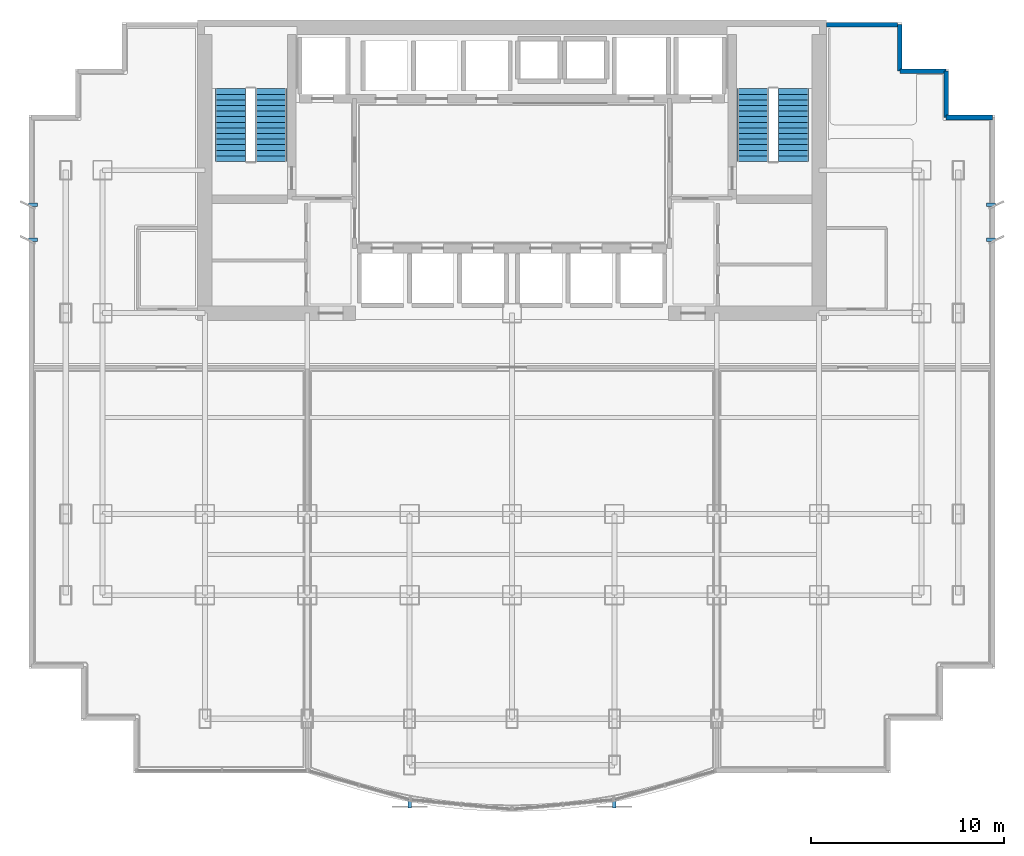
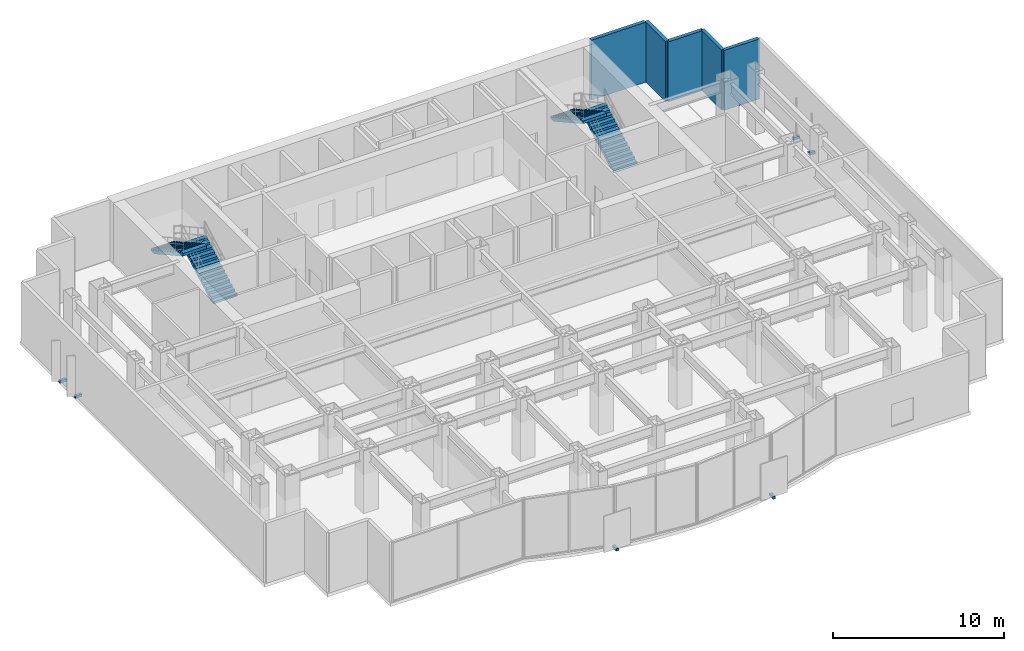
# One storey, part 7 of 9: 6 discrete accessories, 5 walls, 4 stair flights, 2 elements without a shape of their own.
"""IFC4 building model written with IfcOpenShell, lengths in metres."""

from ifc_helpers import new_model, si_unit, direction, frame, frame_2d, origin, origin_2d, place, context, subcontext, project, spatial, polyline, rectangle, outline, extrude, source, transform, mapped, material, layer, layer_set, type_object, element, aggregate, save


model = new_model("IFC4")

# Units and contexts
model_context = context("Model", 3, precision=1e-05, world=origin(), true_north=direction((0.0, 1.0)))
body_context = subcontext(model_context, "Body", "Model", "MODEL_VIEW")
ifc_project = project(units=[si_unit("LENGTHUNIT", "METRE"), si_unit("AREAUNIT", "SQUARE_METRE"), si_unit("VOLUMEUNIT", "CUBIC_METRE"), si_unit("PLANEANGLEUNIT", "RADIAN"), si_unit("MASSUNIT", "GRAM", prefix="KILO")], contexts=[model_context])

# Site, building, storey
site_placement = place(None, origin())
site = spatial("IfcSite", under=ifc_project, at=site_placement, CompositionType="ELEMENT")
building_placement = place(site_placement, origin())
building = spatial("IfcBuilding", under=site, at=building_placement, Name="Qianlan Lanfeng Residences", CompositionType="ELEMENT")
storey_placement = place(building_placement, frame((0.0, 0.0, 77.199951171875)))
storey = spatial("IfcBuildingStorey", under=building, at=storey_placement, Name="L20", CompositionType="ELEMENT", Elevation=77.199951171875)

# Walls
ifc_material_1 = material(Name="Concrete C42", Category="concrete")
ifc_layer = layer(ifc_material_1, 0.239990234375)
ifc_layer_set = layer_set([ifc_layer], Name="Concrete C42")
wall_type = type_object("IfcWallType", Name="EW-240", PredefinedType="SOLIDWALL", material=ifc_layer_set)
for number, where, z_axis, x_axis, name in (
    (1, (51.3798828125, 35.330078125, 0.0), (0.0, 0.0, 1.0), (-1.0, 0.0, 0.0), "L20 Exterior Facade Spandrel Wall 11"),
    (2, (48.97998046875, 35.330078125, 0.0), (0.0, 0.0, 1.0), (0.0, 1.0, 0.0), "L20 Exterior Facade Spandrel Wall 12"),
    (3, (48.97998046875, 37.72998046875, 0.0), (0.0, 0.0, 1.0), (-1.0, 0.0, 0.0), "L20 Exterior Facade Spandrel Wall 13"),
    (4, (46.580078125, 37.72998046875, 0.0), (0.0, 0.0, 1.0), (0.0, 1.0, 0.0), "L20 Exterior Facade Spandrel Wall 14"),
):
    element("IfcWall", number, at=place(storey_placement, frame(where, z_axis=z_axis, x_axis=x_axis)), inside=storey, type_object=wall_type, Name=name, PredefinedType="SOLIDWALL", context=body_context, shape_type="SweptSolid", body=[
        extrude(rectangle(XDim=2.39990234375, YDim=0.239990234375, at=frame_2d((1.199951171875, 0.0))), origin(), (0.0, 0.0, 1.0), 4.2900390625),
    ])
wall_placement = place(storey_placement, frame((46.449951171875, 40.1298828125, 0.0), z_axis=(0.0, 0.0, 1.0), x_axis=(-1.0, 0.0, 0.0)))
element("IfcWall", 5, at=wall_placement, inside=storey, type_object=wall_type, Name="L20 North Wing Exterior Wall E", PredefinedType="SOLIDWALL", context=body_context, shape_type="SweptSolid", body=[
    extrude(rectangle(XDim=3.675048828125, YDim=0.239990234375, at=frame_2d((1.83740234375, 0.0))), origin(), (0.0, 0.0, 1.0), 4.2900390625),
])

# Stair, stair flights
stair_type = type_object("IfcStairType", Name="STR-MAIN", PredefinedType="HALF_TURN_STAIR", material=ifc_material_1)
stair_1_placement = place(storey_placement, origin())
stair_1 = element("IfcStair", 6, at=stair_1_placement, inside=storey, type_object=stair_type, Name="L20 Exit Stair ST-1", PredefinedType="HALF_TURN_STAIR")
stair_flight_type = type_object("IfcStairFlightType", Name="FLT-1720", PredefinedType="STRAIGHT", material=ifc_material_1)
stair_flight_1_placement = place(storey_placement, frame((14.02001953125, 33.050048828125, 0.0), z_axis=(0.0, 0.0, 1.0), x_axis=(0.0, 1.0, 0.0)))
stair_flight_1 = element("IfcStairFlight", 7, at=stair_flight_1_placement, type_object=stair_flight_type, Name="ST-1 flight 1", NumberOfRisers=14, NumberOfTreads=13, PredefinedType="STRAIGHT", RiserHeight=0.160714286, TreadLength=0.29, context=body_context, shape_type="SweptSolid", body=[
    extrude(outline(polyline([(0.0, 0.0), (0.0, 0.16064453125), (0.2900390625, 0.16064453125), (0.2900390625, 0.321533203125), (0.580078125, 0.321533203125), (0.580078125, 0.482177734375), (0.8701171875, 0.482177734375), (0.8701171875, 0.642822265625), (1.159912109375, 0.642822265625), (1.159912109375, 0.803466796875), (1.449951171875, 0.803466796875), (1.449951171875, 0.96435546875), (1.739990234375, 0.96435546875), (1.739990234375, 1.125), (2.030029296875, 1.125), (2.030029296875, 1.28564453125), (2.320068359375, 1.28564453125), (2.320068359375, 1.446533203125), (2.610107421875, 1.446533203125), (2.610107421875, 1.607177734375), (2.89990234375, 1.607177734375), (2.89990234375, 1.767822265625), (3.18994140625, 1.767822265625), (3.18994140625, 1.928466796875), (3.47998046875, 1.928466796875), (3.47998046875, 2.08935546875), (3.77001953125, 2.08935546875), (3.77001953125, 2.25), (3.77001953125, 1.883544921875), (0.37109375, 0.0), (0.0, 0.0)])), frame((0.0, 0.800048828125, 0.0), z_axis=(0.0, -1.0, 0.0), x_axis=(1.0, 0.0, 0.0)), (0.0, 0.0, 1.0), 1.60009765625),
])
stair_flight_2_placement = place(storey_placement, frame((11.93994140625, 36.820068359375, 2.25), z_axis=(0.0, 0.0, 1.0), x_axis=(0.0, -1.0, 0.0)))
stair_flight_2 = element("IfcStairFlight", 8, at=stair_flight_2_placement, type_object=stair_flight_type, Name="ST-1 flight 2", NumberOfRisers=14, NumberOfTreads=13, PredefinedType="STRAIGHT", RiserHeight=0.160714286, TreadLength=0.29, context=body_context, shape_type="SweptSolid", body=[
    extrude(outline(polyline([(0.0, 0.0), (0.0, 0.16064453125), (0.2900390625, 0.16064453125), (0.2900390625, 0.321533203125), (0.580078125, 0.321533203125), (0.580078125, 0.482177734375), (0.8701171875, 0.482177734375), (0.8701171875, 0.642822265625), (1.159912109375, 0.642822265625), (1.159912109375, 0.803466796875), (1.449951171875, 0.803466796875), (1.449951171875, 0.96435546875), (1.739990234375, 0.96435546875), (1.739990234375, 1.125), (2.030029296875, 1.125), (2.030029296875, 1.28564453125), (2.320068359375, 1.28564453125), (2.320068359375, 1.446533203125), (2.610107421875, 1.446533203125), (2.610107421875, 1.607177734375), (2.89990234375, 1.607177734375), (2.89990234375, 1.767822265625), (3.18994140625, 1.767822265625), (3.18994140625, 1.928466796875), (3.47998046875, 1.928466796875), (3.47998046875, 2.08935546875), (3.77001953125, 2.08935546875), (3.77001953125, 2.25), (3.77001953125, 1.883544921875), (0.37109375, 0.0), (0.0, 0.0)])), frame((0.0, 0.800048828125, 0.0), z_axis=(0.0, -1.0, 0.0), x_axis=(1.0, 0.0, 0.0)), (0.0, 0.0, 1.0), 1.60009765625),
])
aggregate(stair_1, [stair_flight_1, stair_flight_2])

stair_2_placement = place(storey_placement, origin())
stair_2 = element("IfcStair", 9, at=stair_2_placement, inside=storey, type_object=stair_type, Name="L20 Exit Stair ST-2", PredefinedType="HALF_TURN_STAIR")
stair_flight_3_placement = place(storey_placement, frame((41.06005859375, 33.050048828125, 0.0), z_axis=(0.0, 0.0, 1.0), x_axis=(0.0, 1.0, 0.0)))
stair_flight_3 = element("IfcStairFlight", 10, at=stair_flight_3_placement, type_object=stair_flight_type, Name="ST-2 flight 1", NumberOfRisers=14, NumberOfTreads=13, PredefinedType="STRAIGHT", RiserHeight=0.160714286, TreadLength=0.29, context=body_context, shape_type="SweptSolid", body=[
    extrude(outline(polyline([(0.0, 0.0), (0.0, 0.16064453125), (0.2900390625, 0.16064453125), (0.2900390625, 0.321533203125), (0.580078125, 0.321533203125), (0.580078125, 0.482177734375), (0.8701171875, 0.482177734375), (0.8701171875, 0.642822265625), (1.159912109375, 0.642822265625), (1.159912109375, 0.803466796875), (1.449951171875, 0.803466796875), (1.449951171875, 0.96435546875), (1.739990234375, 0.96435546875), (1.739990234375, 1.125), (2.030029296875, 1.125), (2.030029296875, 1.28564453125), (2.320068359375, 1.28564453125), (2.320068359375, 1.446533203125), (2.610107421875, 1.446533203125), (2.610107421875, 1.607177734375), (2.89990234375, 1.607177734375), (2.89990234375, 1.767822265625), (3.18994140625, 1.767822265625), (3.18994140625, 1.928466796875), (3.47998046875, 1.928466796875), (3.47998046875, 2.08935546875), (3.77001953125, 2.08935546875), (3.77001953125, 2.25), (3.77001953125, 1.883544921875), (0.37109375, 0.0), (0.0, 0.0)])), frame((0.0, 0.800048828125, 0.0), z_axis=(0.0, -1.0, 0.0), x_axis=(1.0, 0.0, 0.0)), (0.0, 0.0, 1.0), 1.60009765625),
])
stair_flight_4_placement = place(storey_placement, frame((38.97998046875, 36.820068359375, 2.25), z_axis=(0.0, 0.0, 1.0), x_axis=(0.0, -1.0, 0.0)))
stair_flight_4 = element("IfcStairFlight", 11, at=stair_flight_4_placement, type_object=stair_flight_type, Name="ST-2 flight 2", NumberOfRisers=14, NumberOfTreads=13, PredefinedType="STRAIGHT", RiserHeight=0.160714286, TreadLength=0.29, context=body_context, shape_type="SweptSolid", body=[
    extrude(outline(polyline([(0.0, 0.0), (0.0, 0.16064453125), (0.2900390625, 0.16064453125), (0.2900390625, 0.321533203125), (0.580078125, 0.321533203125), (0.580078125, 0.482177734375), (0.8701171875, 0.482177734375), (0.8701171875, 0.642822265625), (1.159912109375, 0.642822265625), (1.159912109375, 0.803466796875), (1.449951171875, 0.803466796875), (1.449951171875, 0.96435546875), (1.739990234375, 0.96435546875), (1.739990234375, 1.125), (2.030029296875, 1.125), (2.030029296875, 1.28564453125), (2.320068359375, 1.28564453125), (2.320068359375, 1.446533203125), (2.610107421875, 1.446533203125), (2.610107421875, 1.607177734375), (2.89990234375, 1.607177734375), (2.89990234375, 1.767822265625), (3.18994140625, 1.767822265625), (3.18994140625, 1.928466796875), (3.47998046875, 1.928466796875), (3.47998046875, 2.08935546875), (3.77001953125, 2.08935546875), (3.77001953125, 2.25), (3.77001953125, 1.883544921875), (0.37109375, 0.0), (0.0, 0.0)])), frame((0.0, 0.800048828125, 0.0), z_axis=(0.0, -1.0, 0.0), x_axis=(1.0, 0.0, 0.0)), (0.0, 0.0, 1.0), 1.60009765625),
])
aggregate(stair_2, [stair_flight_3, stair_flight_4])

# Discrete accessories
ifc_material_2 = material(Name="Stainless Steel Facade Bracket", Category="steel")
discrete_accessory_type = type_object("IfcDiscreteAccessoryType", Name="BRK-SS-350", PredefinedType="BRACKET", material=ifc_material_2)
shared_shape_1 = source(origin(), body_context, "Body", "SweptSolid", [
    extrude(rectangle(XDim=0.179931640625, YDim=0.449951171875, at=origin_2d()), origin(), (0.0, 0.0, 1.0), 0.179931640625),
])
for number, where, z_axis, x_axis, name in (
    (12, (21.199951171875, -0.199951171875, -0.14990234375), (0.0, 0.0, 1.0), (1.0, 0.0, 0.0), "L20 Solar Screen Support Bracket 1"),
    (13, (31.800048828125, -0.199951171875, -0.14990234375), (0.0, 0.0, 1.0), (1.0, 0.0, 0.0), "L20 Solar Screen Support Bracket 2"),
):
    element("IfcDiscreteAccessory", number, at=place(storey_placement, frame(where, z_axis=z_axis, x_axis=x_axis)), inside=storey, type_object=discrete_accessory_type, Name=name, PredefinedType="BRACKET", context=body_context, shape_type="MappedRepresentation", body=[
        mapped(shared_shape_1, transform((0.0, 0.0, 0.0), scale=1.0)),
    ])
shared_shape_2 = source(origin(), body_context, "Body", "SweptSolid", [
    extrude(rectangle(XDim=0.449951171875, YDim=0.179931640625, at=origin_2d()), origin(), (0.0, 0.0, 1.0), 0.179931640625),
])
for number, where, z_axis, x_axis, name in (
    (14, (1.699951171875, 29.0, -0.14990234375), (0.0, 0.0, 1.0), (1.0, 0.0, 0.0), "L20 Raked Solar Fin Support Bracket W1"),
    (15, (1.699951171875, 30.800048828125, -0.14990234375), (0.0, 0.0, 1.0), (1.0, 0.0, 0.0), "L20 Raked Solar Fin Support Bracket W2"),
    (16, (51.300048828125, 29.0, -0.14990234375), (0.0, 0.0, 1.0), (1.0, 0.0, 0.0), "L20 Raked Solar Fin Support Bracket E1"),
    (17, (51.300048828125, 30.800048828125, -0.14990234375), (0.0, 0.0, 1.0), (1.0, 0.0, 0.0), "L20 Raked Solar Fin Support Bracket E2"),
):
    element("IfcDiscreteAccessory", number, at=place(storey_placement, frame(where, z_axis=z_axis, x_axis=x_axis)), inside=storey, type_object=discrete_accessory_type, Name=name, PredefinedType="BRACKET", context=body_context, shape_type="MappedRepresentation", body=[
        mapped(shared_shape_2, transform((0.0, 0.0, 0.0), scale=1.0)),
    ])

save(model, "model.ifc")
